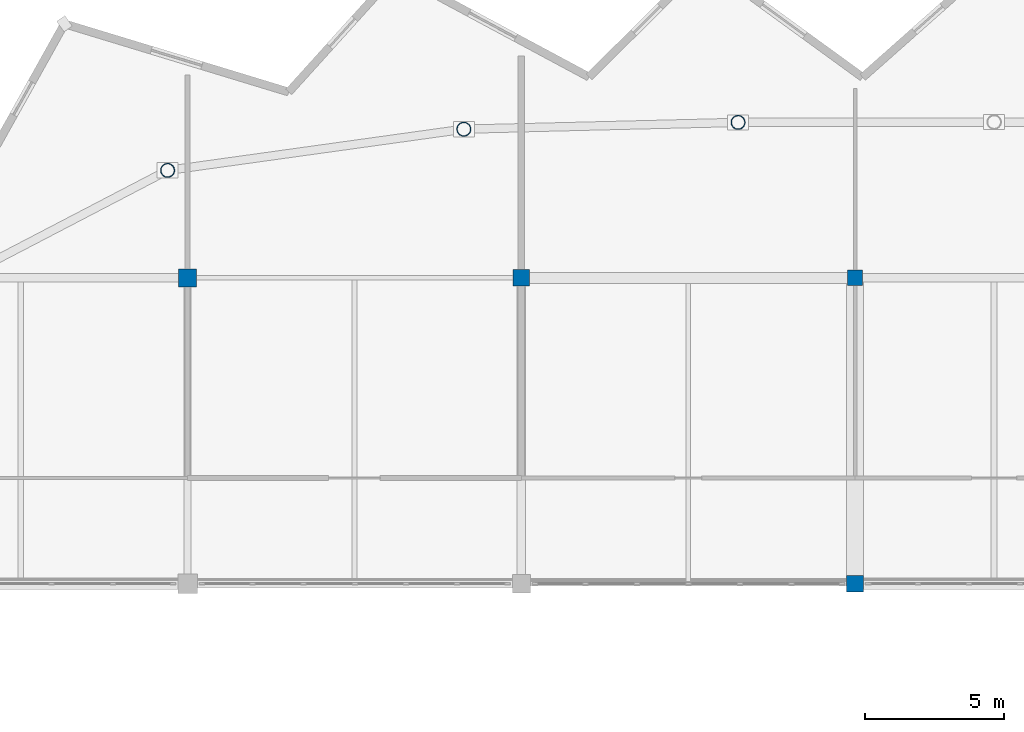
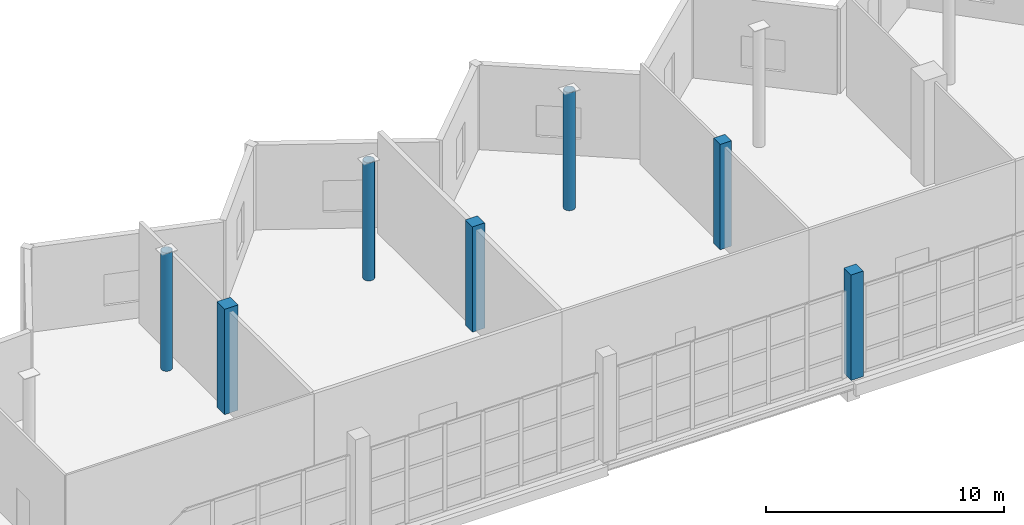
# One storey, part 7 of 49: 7 columns.
"""IFC4 building model written with IfcOpenShell, lengths in metres."""

from ifc_helpers import new_model, si_unit, direction, frame, origin, origin_2d, place, context, subcontext, project, spatial, rectangle, hollow_circle, extrude, material, material_profile, profile_set, type_object, element, save


model = new_model("IFC4")

# Units and contexts
model_context = context("Model", 3, precision=1e-05, world=origin(), true_north=direction((0.0, 1.0)))
body_context = subcontext(model_context, "Body", "Model", "MODEL_VIEW")
ifc_project = project(units=[si_unit("LENGTHUNIT", "METRE"), si_unit("AREAUNIT", "SQUARE_METRE"), si_unit("VOLUMEUNIT", "CUBIC_METRE"), si_unit("PLANEANGLEUNIT", "RADIAN"), si_unit("MASSUNIT", "GRAM", prefix="KILO")], contexts=[model_context])

# Site, building, storey
site_placement = place(None, origin())
site = spatial("IfcSite", under=ifc_project, at=site_placement, CompositionType="ELEMENT")
building_placement = place(site_placement, origin())
building = spatial("IfcBuilding", under=site, at=building_placement, Name="Luwafu Chhajja Arena", CompositionType="ELEMENT")
storey_placement = place(building_placement, frame((0.0, 0.0, 24.300048828125)))
storey = spatial("IfcBuildingStorey", under=building, at=storey_placement, Name="L05", CompositionType="ELEMENT", Elevation=24.300048828125)

# Columns
ifc_material_1 = material(Name="Concrete C35/45", Category="concrete")
ifc_material_profile_1 = material_profile(ifc_material_1, rectangle(XDim=0.550048828125, YDim=0.550048828125, at=origin_2d()), Name="RC 550x550")
ifc_profile_set_1 = profile_set([ifc_material_profile_1], Name="Concrete C35/45")
column_type_1 = type_object("IfcColumnType", Name="Gallery Column RC 550", PredefinedType="COLUMN", material=ifc_profile_set_1)
column_1_placement = place(storey_placement, frame((94.0, 88.0, 0.0), z_axis=(0.0, 0.0, 1.0), x_axis=(1.0, 0.0, 0.0)))
element("IfcColumn", 1, at=column_1_placement, inside=storey, type_object=column_type_1, Name="L05 Grid Column 9/J", PredefinedType="COLUMN", context=body_context, shape_type="SweptSolid", body=[
    extrude(rectangle(XDim=0.550048828125, YDim=0.550048828125, at=origin_2d()), origin(), (0.0, 0.0, 1.0), 5.39990234375),
])
ifc_material_profile_2 = material_profile(ifc_material_1, rectangle(XDim=0.60009765625, YDim=0.60009765625, at=origin_2d()), Name="RC 600x600")
ifc_profile_set_2 = profile_set([ifc_material_profile_2], Name="Concrete C35/45")
column_type_2 = type_object("IfcColumnType", Name="Mezzanine Column RC 600", PredefinedType="COLUMN", material=ifc_profile_set_2)
for number, where, z_axis, x_axis, name in (
    (2, (82.0, 88.0, 0.0), (0.0, 0.0, 1.0), (1.0, 0.0, 0.0), "L05 Grid Column 8/J"),
    (3, (94.0, 77.0, 0.0), (0.0, 0.0, 1.0), (1.0, 0.0, 0.0), "L05 Grid Column 9/H"),
):
    element("IfcColumn", number, at=place(storey_placement, frame(where, z_axis=z_axis, x_axis=x_axis)), inside=storey, type_object=column_type_2, Name=name, PredefinedType="COLUMN", context=body_context, shape_type="SweptSolid", body=[
        extrude(rectangle(XDim=0.60009765625, YDim=0.60009765625, at=origin_2d()), origin(), (0.0, 0.0, 1.0), 5.39990234375),
    ])
ifc_material_2 = material(Name="Steel S355", Category="steel")
ifc_material_profile_3 = material_profile(ifc_material_2, hollow_circle(Radius=0.25390625, WallThickness=0.02001953125, at=origin_2d()), Name="CHS 508x20")
ifc_profile_set_3 = profile_set([ifc_material_profile_3], Name="Steel S355")
column_type_3 = type_object("IfcColumnType", Name="Steel Upper Drum Column CHS 508", PredefinedType="COLUMN", material=ifc_profile_set_3)
for number, where, z_axis, x_axis, name in (
    (4, (89.792724609375, 93.588134765625, 0.0), (0.0, 0.0, 1.0), (1.0, 0.0, 0.0), "L05 Bowl Drum Column D10"),
    (5, (79.932861328125, 93.3447265625, 0.0), (0.0, 0.0, 1.0), (1.0, 0.0, 0.0), "L05 Bowl Drum Column D11"),
    (6, (69.281982421875, 91.86279296875, 0.0), (0.0, 0.0, 1.0), (1.0, 0.0, 0.0), "L05 Bowl Drum Column D12"),
):
    element("IfcColumn", number, at=place(storey_placement, frame(where, z_axis=z_axis, x_axis=x_axis)), inside=storey, type_object=column_type_3, Name=name, PredefinedType="COLUMN", context=body_context, shape_type="SweptSolid", body=[
        extrude(hollow_circle(Radius=0.25390625, WallThickness=0.02001953125, at=origin_2d()), origin(), (0.0, 0.0, 1.0), 6.050048828125),
    ])
ifc_material_profile_4 = material_profile(ifc_material_1, rectangle(XDim=0.64990234375, YDim=0.64990234375, at=origin_2d()), Name="RC 650x650")
ifc_profile_set_4 = profile_set([ifc_material_profile_4], Name="Concrete C35/45")
column_type_4 = type_object("IfcColumnType", Name="Upper Wing Column RC 650", PredefinedType="COLUMN", material=ifc_profile_set_4)
column_2_placement = place(storey_placement, frame((70.0, 88.0, 0.0), z_axis=(0.0, 0.0, 1.0), x_axis=(1.0, 0.0, 0.0)))
element("IfcColumn", 7, at=column_2_placement, inside=storey, type_object=column_type_4, Name="L05 Grid Column 7/J", PredefinedType="COLUMN", context=body_context, shape_type="SweptSolid", body=[
    extrude(rectangle(XDim=0.64990234375, YDim=0.64990234375, at=origin_2d()), origin(), (0.0, 0.0, 1.0), 5.39990234375),
])

save(model, "model.ifc")
